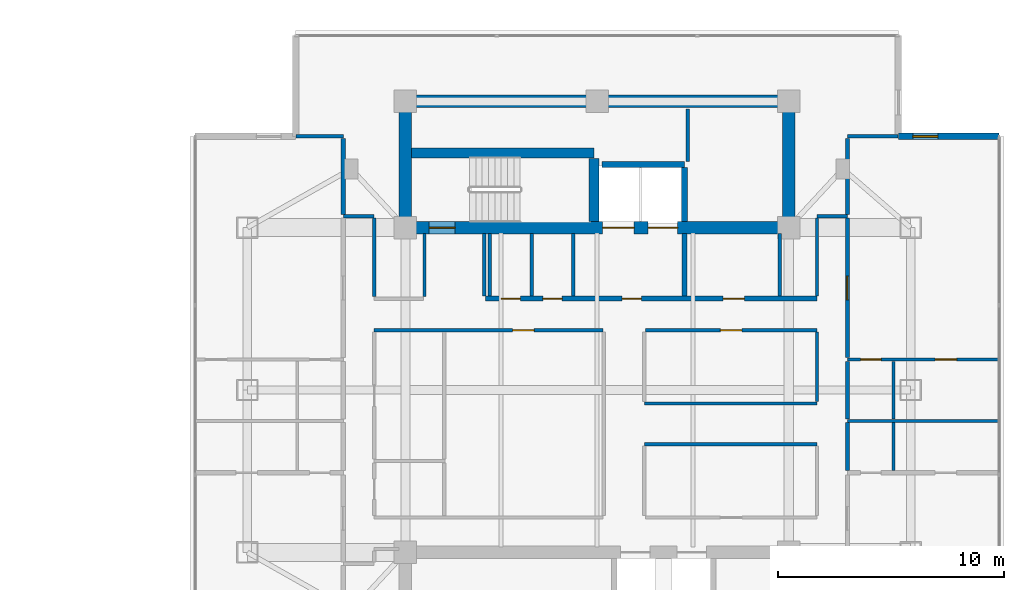
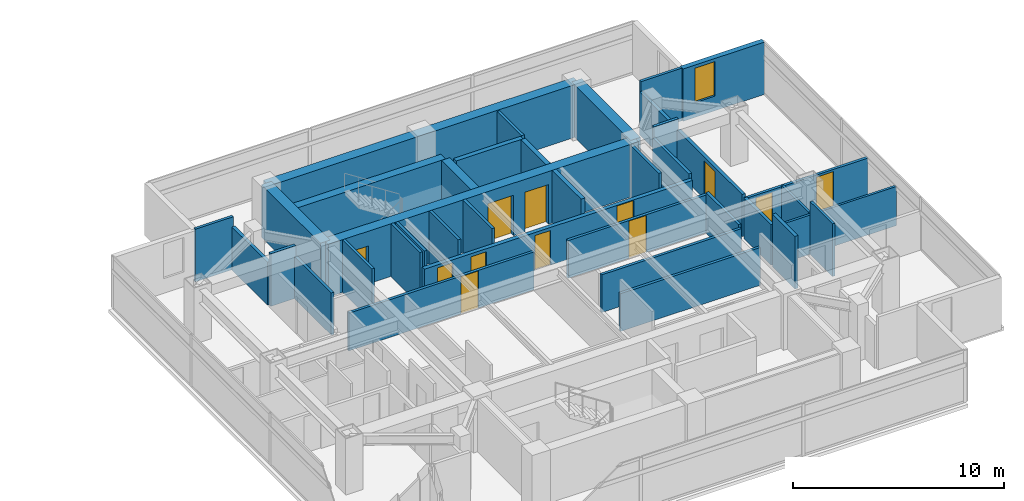
# One storey, part 19 of 26: 38 walls, 12 doors, 1 window, 13 openings.
"""IFC4 building model written with IfcOpenShell, lengths in metres."""

from ifc_helpers import new_model, si_unit, direction, frame, frame_2d, origin, place, context, subcontext, project, spatial, rectangle, extrude, material, layer, layer_set, type_object, element, fill, save


model = new_model("IFC4")

# Units and contexts
model_context = context("Model", 3, precision=1e-05, world=origin(), true_north=direction((0.0, 1.0)))
body_context = subcontext(model_context, "Body", "Model", "MODEL_VIEW")
ifc_project = project(units=[si_unit("LENGTHUNIT", "METRE"), si_unit("AREAUNIT", "SQUARE_METRE"), si_unit("VOLUMEUNIT", "CUBIC_METRE"), si_unit("PLANEANGLEUNIT", "RADIAN"), si_unit("MASSUNIT", "GRAM", prefix="KILO")], contexts=[model_context])

# Site, building, storey
site_placement = place(None, origin())
site = spatial("IfcSite", under=ifc_project, at=site_placement, CompositionType="ELEMENT")
building_placement = place(site_placement, origin())
building = spatial("IfcBuilding", under=site, at=building_placement, Name="Mirazonda Arch Towers", CompositionType="ELEMENT")
storey_placement = place(building_placement, frame((0.0, 0.0, 170.64990234375)))
storey = spatial("IfcBuildingStorey", under=building, at=storey_placement, Name="L48", CompositionType="ELEMENT", Elevation=170.64990234375)

# Walls
ifc_material_1 = material(Name="Concrete C50/60", Category="concrete")
ifc_layer_1 = layer(ifc_material_1, 0.449951171875, Name="WALL-CORE-450")
ifc_layer_set_1 = layer_set([ifc_layer_1], Name="Concrete C50/60")
wall_type_1 = type_object("IfcWallType", Name="WALL-CORE-450", PredefinedType="SHEAR", material=ifc_layer_set_1)
wall_1_placement = place(storey_placement, frame((68.27001953125, 38.5, 0.0), z_axis=(0.0, 0.0, 1.0), x_axis=(1.0, 0.0, 0.0)))
element("IfcWall", 1, at=wall_1_placement, inside=storey, type_object=wall_type_1, Name="L48 Stair Core Shear Wall 056", PredefinedType="SHEAR", context=body_context, shape_type="SweptSolid", body=[
    extrude(rectangle(XDim=8.090087890625, YDim=0.449951171875, at=frame_2d((4.044921875, 0.0))), origin(), (0.0, 0.0, 1.0), 3.050048828125),
])
wall_2_placement = place(storey_placement, frame((76.360107421875, 35.469970703125, 0.0), z_axis=(0.0, 0.0, 1.0), x_axis=(0.0, 1.0, 0.0)))
element("IfcWall", 2, at=wall_2_placement, inside=storey, type_object=wall_type_1, Name="L48 Stair Core Shear Wall 158", PredefinedType="SHEAR", context=body_context, shape_type="SweptSolid", body=[
    extrude(rectangle(XDim=2.794921875, YDim=0.449951171875, at=frame_2d((1.3974609375, 0.0))), origin(), (0.0, 0.0, 1.0), 3.050048828125),
])
ifc_layer_2 = layer(ifc_material_1, 0.550048828125, Name="WALL-CORE-550")
ifc_layer_set_2 = layer_set([ifc_layer_2], Name="Concrete C50/60")
wall_type_2 = type_object("IfcWallType", Name="WALL-CORE-550", PredefinedType="SHEAR", material=ifc_layer_set_2)
wall_3_placement = place(storey_placement, frame((68.0, 40.800048828125, 0.0), z_axis=(0.0, 0.0, 1.0), x_axis=(1.0, 0.0, 0.0)))
element("IfcWall", 3, at=wall_3_placement, inside=storey, type_object=wall_type_2, Name="L48 T2N-N Core Shear Wall", PredefinedType="SHEAR", context=body_context, shape_type="SweptSolid", body=[
    extrude(rectangle(XDim=17.0, YDim=0.550048828125, at=frame_2d((8.5, 0.0))), origin(), (0.0, 0.0, 1.0), 3.050048828125),
])
for number, where, z_axis, x_axis, name in (
    (4, (68.0, 35.199951171875, 0.0), (0.0, 0.0, 1.0), (0.0, 1.0, 0.0), "L48 T2N-W Core Shear Wall"),
    (5, (85.0, 35.199951171875, 0.0), (0.0, 0.0, 1.0), (0.0, 1.0, 0.0), "L48 T2N-E Core Shear Wall"),
):
    element("IfcWall", number, at=place(storey_placement, frame(where, z_axis=z_axis, x_axis=x_axis)), inside=storey, type_object=wall_type_2, Name=name, PredefinedType="SHEAR", context=body_context, shape_type="SweptSolid", body=[
        extrude(rectangle(XDim=5.60009765625, YDim=0.550048828125, at=frame_2d((2.800048828125, 0.0))), origin(), (0.0, 0.0, 1.0), 3.050048828125),
    ])

# Wall, openings, doors
wall_4_placement = place(storey_placement, frame((68.0, 35.199951171875, 0.0), z_axis=(0.0, 0.0, 1.0), x_axis=(1.0, 0.0, 0.0)))
wall_4 = element("IfcWall", 6, at=wall_4_placement, inside=storey, type_object=wall_type_2, Name="L48 T2N-S Core Shear Wall", PredefinedType="SHEAR", context=body_context, shape_type="SweptSolid", body=[
    extrude(rectangle(XDim=17.0, YDim=0.550048828125, at=frame_2d((8.5, 0.0))), origin(), (0.0, 0.0, 1.0), 3.050048828125),
])
opening_1_placement = place(wall_4_placement, frame((1.06005859375, 0.0, 0.0)))
opening_1 = element("IfcOpeningElement", 7, at=opening_1_placement, cuts=wall_4, Name="Opening DR-135", PredefinedType="OPENING", context=body_context, shape_type="SweptSolid", body=[
    extrude(rectangle(XDim=1.14990234375, YDim=2.199951171875, at=frame_2d((0.574951171875, 1.10009765625))), frame((0.0, 0.284912109375, 0.0), z_axis=(0.0, -1.0, 0.0), x_axis=(1.0, 0.0, 0.0)), (0.0, 0.0, 1.0), 0.570068359375),
])
opening_2_placement = place(wall_4_placement, frame((8.75, 0.0, 0.0)))
opening_2 = element("IfcOpeningElement", 8, at=opening_2_placement, cuts=wall_4, Name="Opening LD-112", PredefinedType="OPENING", context=body_context, shape_type="SweptSolid", body=[
    extrude(rectangle(XDim=1.39990234375, YDim=2.35009765625, at=frame_2d((0.699951171875, 1.175048828125))), frame((0.0, 0.284912109375, 0.0), z_axis=(0.0, -1.0, 0.0), x_axis=(1.0, 0.0, 0.0)), (0.0, 0.0, 1.0), 0.570068359375),
])
opening_3_placement = place(wall_4_placement, frame((10.77001953125, 0.0, 0.0)))
opening_3 = element("IfcOpeningElement", 9, at=opening_3_placement, cuts=wall_4, Name="Opening LD-111", PredefinedType="OPENING", context=body_context, shape_type="SweptSolid", body=[
    extrude(rectangle(XDim=1.300048828125, YDim=2.300048828125, at=frame_2d((0.64990234375, 1.14990234375))), frame((0.0, 0.284912109375, 0.0), z_axis=(0.0, -1.0, 0.0), x_axis=(1.0, 0.0, 0.0)), (0.0, 0.0, 1.0), 0.570068359375),
])
ifc_material_2 = material(Name="Architectural Brushed Steel S355", Category="steel")
door_type_1 = type_object("IfcDoorType", Name="DOOR-LIFT-FFL-1400", OperationType="NOTDEFINED", PredefinedType="DOOR", material=ifc_material_2)
door_1_placement = place(opening_2_placement, origin())
door_1 = element("IfcDoor", 10, at=door_1_placement, inside=storey, type_object=door_type_1, Name="L48 Lift Landing Sliding Door FFL-T2", OperationType="DOUBLE_DOOR_SLIDING", OverallHeight=2.35009765625, OverallWidth=1.39990234375, PredefinedType="DOOR", context=body_context, shape_type="SweptSolid", body=[
    extrude(rectangle(XDim=1.39990234375, YDim=2.35009765625, at=frame_2d((0.699951171875, 1.175048828125))), frame((0.0, 0.02490234375, 0.0), z_axis=(0.0, -1.0, 0.0), x_axis=(1.0, 0.0, 0.0)), (0.0, 0.0, 1.0), 0.050048828125),
])
fill(opening_2, door_1)
door_type_2 = type_object("IfcDoorType", Name="DOOR-LIFT-LAND-1300", OperationType="NOTDEFINED", PredefinedType="DOOR", material=ifc_material_2)
door_2_placement = place(opening_3_placement, origin())
door_2 = element("IfcDoor", 11, at=door_2_placement, inside=storey, type_object=door_type_2, Name="L48 Lift Landing Sliding Door SVL-T2", OperationType="DOUBLE_DOOR_SLIDING", OverallHeight=2.300048828125, OverallWidth=1.300048828125, PredefinedType="DOOR", context=body_context, shape_type="SweptSolid", body=[
    extrude(rectangle(XDim=1.300048828125, YDim=2.300048828125, at=frame_2d((0.64990234375, 1.14990234375))), frame((0.0, 0.02490234375, 0.0), z_axis=(0.0, -1.0, 0.0), x_axis=(1.0, 0.0, 0.0)), (0.0, 0.0, 1.0), 0.050048828125),
])
fill(opening_3, door_2)
door_type_3 = type_object("IfcDoorType", Name="DOOR-STAIR-FD90-1150", OperationType="NOTDEFINED", PredefinedType="DOOR", material=ifc_material_2)
door_3_placement = place(opening_1_placement, origin())
door_3 = element("IfcDoor", 12, at=door_3_placement, inside=storey, type_object=door_type_3, Name="L48 East Protected Stair North Door", OperationType="SINGLE_SWING_LEFT", OverallHeight=2.199951171875, OverallWidth=1.14990234375, PredefinedType="DOOR", context=body_context, shape_type="SweptSolid", body=[
    extrude(rectangle(XDim=1.14990234375, YDim=2.199951171875, at=frame_2d((0.574951171875, 1.10009765625))), frame((0.0, 0.02490234375, 0.0), z_axis=(0.0, -1.0, 0.0), x_axis=(1.0, 0.0, 0.0)), (0.0, 0.0, 1.0), 0.050048828125),
])
fill(opening_1, door_3)

# Wall, opening, window
ifc_material_3 = material(Name="Precast Concrete C40/50", Category="concrete")
ifc_layer_3 = layer(ifc_material_3, 0.280029296875, Name="WALL-EXT-WALL-280")
ifc_layer_set_3 = layer_set([ifc_layer_3], Name="Precast Concrete C40/50")
wall_type_3 = type_object("IfcWallType", Name="WALL-EXT-WALL-280", PredefinedType="SOLIDWALL", material=ifc_layer_set_3)
wall_5_placement = place(storey_placement, frame((94.322509765625, 39.242919921875, 0.0), z_axis=(0.0, 0.0, 1.0), x_axis=(-1.0, 0.0, 0.0)))
wall_5 = element("IfcWall", 13, at=wall_5_placement, inside=storey, type_object=wall_type_3, Name="L48 T2 Corner Notch Return Wall WL-L48-T2-CNE2", PredefinedType="SOLIDWALL", context=body_context, shape_type="SweptSolid", body=[
    extrude(rectangle(XDim=4.465087890625, YDim=0.280029296875, at=frame_2d((2.232421875, 0.0))), origin(), (0.0, 0.0, 1.0), 3.030029296875),
])
opening_4_placement = place(wall_5_placement, frame((2.715087890625, 0.0, 0.85009765625)))
opening_4 = element("IfcOpeningElement", 14, at=opening_4_placement, cuts=wall_5, Name="Opening WN-108", PredefinedType="OPENING", context=body_context, shape_type="SweptSolid", body=[
    extrude(rectangle(XDim=1.10009765625, YDim=2.0, at=frame_2d((0.550048828125, 1.0))), frame((0.0, 0.14990234375, 0.0), z_axis=(0.0, -1.0, 0.0), x_axis=(1.0, 0.0, 0.0)), (0.0, 0.0, 1.0), 0.300048828125),
])
ifc_material_4 = material(Name="Insulated Low-E Solar Glass", Category="glass")
window_type = type_object("IfcWindowType", Name="WIN-NOTCH-1100x2000", PartitioningType="SINGLE_PANEL", PredefinedType="WINDOW", material=ifc_material_4)
window_placement = place(opening_4_placement, origin())
window = element("IfcWindow", 15, at=window_placement, inside=storey, type_object=window_type, Name="L48 Punched Facade Window WN-L48-T2-CNE2", OverallHeight=2.0, OverallWidth=1.10009765625, PartitioningType="SINGLE_PANEL", PredefinedType="WINDOW", context=body_context, shape_type="SweptSolid", body=[
    extrude(rectangle(XDim=1.10009765625, YDim=2.0, at=frame_2d((0.550048828125, 1.0))), frame((0.0, 0.030029296875, 0.0), z_axis=(0.0, -1.0, 0.0), x_axis=(1.0, 0.0, 0.0)), (0.0, 0.0, 1.0), 0.06005859375),
])
fill(opening_4, window)

# Wall, openings, doors
ifc_material_5 = material(Name="Concrete C40/50", Category="concrete")
ifc_layer_4 = layer(ifc_material_5, 0.219970703125, Name="WALL-FFL-220")
ifc_layer_set_4 = layer_set([ifc_layer_4], Name="Concrete C40/50")
wall_type_4 = type_object("IfcWallType", Name="WALL-FFL-220", PredefinedType="SOLIDWALL", material=ifc_layer_set_4)
wall_6_placement = place(storey_placement, frame((71.550048828125, 32.050048828125, 0.0), z_axis=(0.0, 0.0, 1.0), x_axis=(1.0, 0.0, 0.0)))
wall_6 = element("IfcWall", 16, at=wall_6_placement, inside=storey, type_object=wall_type_4, Name="L48 Interior Partition 045", PredefinedType="SOLIDWALL", context=body_context, shape_type="SweptSolid", body=[
    extrude(rectangle(XDim=14.699951171875, YDim=0.219970703125, at=frame_2d((7.35009765625, 0.0))), origin(), (0.0, 0.0, 1.0), 2.18603515625),
])
opening_5_placement = place(wall_6_placement, frame((6.06494140625, 0.0, 0.0)))
opening_5 = element("IfcOpeningElement", 17, at=opening_5_placement, cuts=wall_6, Name="Opening DR-128", PredefinedType="OPENING", context=body_context, shape_type="SweptSolid", body=[
    extrude(rectangle(XDim=0.85009765625, YDim=2.010009765625, at=frame_2d((0.425048828125, 1.0048828125))), frame((0.0, 0.119873046875, 0.0), z_axis=(0.0, -1.0, 0.0), x_axis=(1.0, 0.0, 0.0)), (0.0, 0.0, 1.0), 0.239990234375),
])
opening_6_placement = place(wall_6_placement, frame((10.534912109375, 0.0, 0.0)))
opening_6 = element("IfcOpeningElement", 18, at=opening_6_placement, cuts=wall_6, Name="Opening DR-104", PredefinedType="OPENING", context=body_context, shape_type="SweptSolid", body=[
    extrude(rectangle(XDim=0.949951171875, YDim=2.14990234375, at=frame_2d((0.47509765625, 1.074951171875))), frame((0.0, 0.119873046875, 0.0), z_axis=(0.0, -1.0, 0.0), x_axis=(1.0, 0.0, 0.0)), (0.0, 0.0, 1.0), 0.239990234375),
])
opening_7_placement = place(wall_6_placement, frame((0.699951171875, 0.0, 0.0)))
opening_7 = element("IfcOpeningElement", 19, at=opening_7_placement, cuts=wall_6, Name="Opening DR-128", PredefinedType="OPENING", context=body_context, shape_type="SweptSolid", body=[
    extrude(rectangle(XDim=0.85009765625, YDim=2.010009765625, at=frame_2d((0.425048828125, 1.0048828125))), frame((0.0, 0.119873046875, 0.0), z_axis=(0.0, -1.0, 0.0), x_axis=(1.0, 0.0, 0.0)), (0.0, 0.0, 1.0), 0.239990234375),
])
opening_8_placement = place(wall_6_placement, frame((2.550048828125, 0.0, 0.0)))
opening_8 = element("IfcOpeningElement", 20, at=opening_8_placement, cuts=wall_6, Name="Opening DR-128", PredefinedType="OPENING", context=body_context, shape_type="SweptSolid", body=[
    extrude(rectangle(XDim=0.85009765625, YDim=2.010009765625, at=frame_2d((0.425048828125, 1.0048828125))), frame((0.0, 0.119873046875, 0.0), z_axis=(0.0, -1.0, 0.0), x_axis=(1.0, 0.0, 0.0)), (0.0, 0.0, 1.0), 0.239990234375),
])
door_type_4 = type_object("IfcDoorType", Name="DOOR-RISER-FD60-850", OperationType="NOTDEFINED", PredefinedType="DOOR", material=ifc_material_2)
door_4_placement = place(opening_5_placement, origin())
door_4 = element("IfcDoor", 21, at=door_4_placement, inside=storey, type_object=door_type_4, Name="L48 East Firefighting Lift Lobby Door", OperationType="SINGLE_SWING_RIGHT", OverallHeight=2.010009765625, OverallWidth=0.85009765625, PredefinedType="DOOR", context=body_context, shape_type="SweptSolid", body=[
    extrude(rectangle(XDim=0.85009765625, YDim=2.010009765625, at=frame_2d((0.425048828125, 1.0048828125))), frame((0.0, 0.02490234375, 0.0), z_axis=(0.0, -1.0, 0.0), x_axis=(1.0, 0.0, 0.0)), (0.0, 0.0, 1.0), 0.050048828125),
])
fill(opening_5, door_4)
door_5_placement = place(opening_7_placement, origin())
door_5 = element("IfcDoor", 22, at=door_5_placement, inside=storey, type_object=door_type_4, Name="L48 Tower 2 Electrical Room Door", OperationType="SINGLE_SWING_RIGHT", OverallHeight=2.010009765625, OverallWidth=0.85009765625, PredefinedType="DOOR", context=body_context, shape_type="SweptSolid", body=[
    extrude(rectangle(XDim=0.85009765625, YDim=2.010009765625, at=frame_2d((0.425048828125, 1.0048828125))), frame((0.0, 0.02490234375, 0.0), z_axis=(0.0, -1.0, 0.0), x_axis=(1.0, 0.0, 0.0)), (0.0, 0.0, 1.0), 0.050048828125),
])
fill(opening_7, door_5)
door_6_placement = place(opening_8_placement, origin())
door_6 = element("IfcDoor", 23, at=door_6_placement, inside=storey, type_object=door_type_4, Name="L48 Tower 2 Cleaners Store Door", OperationType="SINGLE_SWING_LEFT", OverallHeight=2.010009765625, OverallWidth=0.85009765625, PredefinedType="DOOR", context=body_context, shape_type="SweptSolid", body=[
    extrude(rectangle(XDim=0.85009765625, YDim=2.010009765625, at=frame_2d((0.425048828125, 1.0048828125))), frame((0.0, 0.02490234375, 0.0), z_axis=(0.0, -1.0, 0.0), x_axis=(1.0, 0.0, 0.0)), (0.0, 0.0, 1.0), 0.050048828125),
])
fill(opening_8, door_6)
door_type_5 = type_object("IfcDoorType", Name="DOOR-ROOM-950", OperationType="NOTDEFINED", PredefinedType="DOOR", material=ifc_material_2)
door_7_placement = place(opening_6_placement, origin())
door_7 = element("IfcDoor", 24, at=door_7_placement, inside=storey, type_object=door_type_5, Name="L48 East Sky Reading Library Door", OperationType="SINGLE_SWING_LEFT", OverallHeight=2.14990234375, OverallWidth=0.949951171875, PredefinedType="DOOR", context=body_context, shape_type="SweptSolid", body=[
    extrude(rectangle(XDim=0.949951171875, YDim=2.14990234375, at=frame_2d((0.47509765625, 1.074951171875))), frame((0.0, 0.02490234375, 0.0), z_axis=(0.0, -1.0, 0.0), x_axis=(1.0, 0.0, 0.0)), (0.0, 0.0, 1.0), 0.050048828125),
])
fill(opening_6, door_7)

# Walls
wall_7_placement = place(storey_placement, frame((80.3798828125, 32.169921875, 0.0), z_axis=(0.0, 0.0, 1.0), x_axis=(0.0, 1.0, 0.0)))
element("IfcWall", 25, at=wall_7_placement, inside=storey, type_object=wall_type_4, Name="L48 Interior Partition 163", PredefinedType="SOLIDWALL", context=body_context, shape_type="SweptSolid", body=[
    extrude(rectangle(XDim=2.760009765625, YDim=0.219970703125, at=frame_2d((1.3798828125, 0.0))), origin(), (0.0, 0.0, 1.0), 3.050048828125),
])
ifc_material_6 = material(Name="Fire-Rated Gypsum Stud Partition")
ifc_layer_5 = layer(ifc_material_6, 0.14990234375, Name="WALL-PART-CORR-150")
ifc_layer_set_5 = layer_set([ifc_layer_5], Name="Fire-Rated Gypsum Stud Partition")
wall_type_5 = type_object("IfcWallType", Name="WALL-PART-CORR-150", PredefinedType="PARTITIONING", material=ifc_layer_set_5)
for number, where, z_axis, x_axis, name in (
    (26, (78.60009765625, 25.60009765625, 0.0), (0.0, 0.0, 1.0), (1.0, 0.0, 0.0), "L48 Interior Partition 031"),
    (27, (78.60009765625, 27.39990234375, 0.0), (0.0, 0.0, 1.0), (1.0, 0.0, 0.0), "L48 Interior Partition 035"),
):
    element("IfcWall", number, at=place(storey_placement, frame(where, z_axis=z_axis, x_axis=x_axis)), inside=storey, type_object=wall_type_5, Name=name, PredefinedType="PARTITIONING", context=body_context, shape_type="SweptSolid", body=[
        extrude(rectangle(XDim=7.64990234375, YDim=0.14990234375, at=frame_2d((3.824951171875, 0.0))), origin(), (0.0, 0.0, 1.0), 2.18603515625),
    ])

# Wall, openings, doors
wall_8_placement = place(storey_placement, frame((87.60009765625, 29.35205078125, 0.0), z_axis=(0.0, 0.0, 1.0), x_axis=(1.0, 0.0, 0.0)))
wall_8 = element("IfcWall", 28, at=wall_8_placement, inside=storey, type_object=wall_type_5, Name="L48 Interior Partition 039", PredefinedType="PARTITIONING", context=body_context, shape_type="SweptSolid", body=[
    extrude(rectangle(XDim=6.722900390625, YDim=0.14990234375, at=frame_2d((3.361328125, 0.0))), origin(), (0.0, 0.0, 1.0), 2.26904296875),
])
opening_9_placement = place(wall_8_placement, frame((3.886474609375, 0.0, 0.0)))
opening_9 = element("IfcOpeningElement", 29, at=opening_9_placement, cuts=wall_8, Name="Opening DR-104", PredefinedType="OPENING", context=body_context, shape_type="SweptSolid", body=[
    extrude(rectangle(XDim=0.949951171875, YDim=2.14990234375, at=frame_2d((0.47509765625, 1.074951171875))), frame((0.0, 0.0849609375, 0.0), z_axis=(0.0, -1.0, 0.0), x_axis=(1.0, 0.0, 0.0)), (0.0, 0.0, 1.0), 0.169921875),
])
opening_10_placement = place(wall_8_placement, frame((0.590087890625, 0.0, 0.0)))
opening_10 = element("IfcOpeningElement", 30, at=opening_10_placement, cuts=wall_8, Name="Opening DR-120", PredefinedType="OPENING", context=body_context, shape_type="SweptSolid", body=[
    extrude(rectangle(XDim=0.89990234375, YDim=2.10009765625, at=frame_2d((0.449951171875, 1.050048828125))), frame((0.0, 0.0849609375, 0.0), z_axis=(0.0, -1.0, 0.0), x_axis=(1.0, 0.0, 0.0)), (0.0, 0.0, 1.0), 0.169921875),
])
door_8_placement = place(opening_9_placement, origin())
door_8 = element("IfcDoor", 31, at=door_8_placement, inside=storey, type_object=door_type_5, Name="L48 Studio 2 Galley Kitchen Door", OperationType="SINGLE_SWING_RIGHT", OverallHeight=2.14990234375, OverallWidth=0.949951171875, PredefinedType="DOOR", context=body_context, shape_type="SweptSolid", body=[
    extrude(rectangle(XDim=0.949951171875, YDim=2.14990234375, at=frame_2d((0.47509765625, 1.074951171875))), frame((0.0, 0.02490234375, 0.0), z_axis=(0.0, -1.0, 0.0), x_axis=(1.0, 0.0, 0.0)), (0.0, 0.0, 1.0), 0.050048828125),
])
fill(opening_9, door_8)
door_type_6 = type_object("IfcDoorType", Name="DOOR-WC-900", OperationType="NOTDEFINED", PredefinedType="DOOR", material=ifc_material_2)
door_9_placement = place(opening_10_placement, origin())
door_9 = element("IfcDoor", 32, at=door_9_placement, inside=storey, type_object=door_type_6, Name="L48 Studio 2 Bathroom Door", OperationType="SINGLE_SWING_LEFT", OverallHeight=2.10009765625, OverallWidth=0.89990234375, PredefinedType="DOOR", context=body_context, shape_type="SweptSolid", body=[
    extrude(rectangle(XDim=0.89990234375, YDim=2.10009765625, at=frame_2d((0.449951171875, 1.050048828125))), frame((0.0, 0.02490234375, 0.0), z_axis=(0.0, -1.0, 0.0), x_axis=(1.0, 0.0, 0.0)), (0.0, 0.0, 1.0), 0.050048828125),
])
fill(opening_10, door_9)

# Wall, opening, door
wall_9_placement = place(storey_placement, frame((66.6201171875, 30.64990234375, 0.0), z_axis=(0.0, 0.0, 1.0), x_axis=(1.0, 0.0, 0.0)))
wall_9 = element("IfcWall", 33, at=wall_9_placement, inside=storey, type_object=wall_type_5, Name="L48 Interior Partition 042", PredefinedType="PARTITIONING", context=body_context, shape_type="SweptSolid", body=[
    extrude(rectangle(XDim=10.139892578125, YDim=0.14990234375, at=frame_2d((5.06982421875, 0.0))), origin(), (0.0, 0.0, 1.0), 2.18603515625),
])
opening_11_placement = place(wall_9_placement, frame((6.139892578125, 0.0, 0.0)))
opening_11 = element("IfcOpeningElement", 34, at=opening_11_placement, cuts=wall_9, Name="Opening DR-104", PredefinedType="OPENING", context=body_context, shape_type="SweptSolid", body=[
    extrude(rectangle(XDim=0.949951171875, YDim=2.14990234375, at=frame_2d((0.47509765625, 1.074951171875))), frame((0.0, 0.0849609375, 0.0), z_axis=(0.0, -1.0, 0.0), x_axis=(1.0, 0.0, 0.0)), (0.0, 0.0, 1.0), 0.169921875),
])
door_10_placement = place(opening_11_placement, origin())
door_10 = element("IfcDoor", 35, at=door_10_placement, inside=storey, type_object=door_type_5, Name="L48 L48 East Courtyard Study Door", OperationType="SINGLE_SWING_LEFT", OverallHeight=2.14990234375, OverallWidth=0.949951171875, PredefinedType="DOOR", context=body_context, shape_type="SweptSolid", body=[
    extrude(rectangle(XDim=0.949951171875, YDim=2.14990234375, at=frame_2d((0.47509765625, 1.074951171875))), frame((0.0, 0.02490234375, 0.0), z_axis=(0.0, -1.0, 0.0), x_axis=(1.0, 0.0, 0.0)), (0.0, 0.0, 1.0), 0.050048828125),
])
fill(opening_11, door_10)

wall_10_placement = place(storey_placement, frame((78.639892578125, 30.64990234375, 0.0), z_axis=(0.0, 0.0, 1.0), x_axis=(1.0, 0.0, 0.0)))
wall_10 = element("IfcWall", 36, at=wall_10_placement, inside=storey, type_object=wall_type_5, Name="L48 Interior Partition 043", PredefinedType="PARTITIONING", context=body_context, shape_type="SweptSolid", body=[
    extrude(rectangle(XDim=7.610107421875, YDim=0.14990234375, at=frame_2d((3.80517578125, 0.0))), origin(), (0.0, 0.0, 1.0), 2.18603515625),
])
opening_12_placement = place(wall_10_placement, frame((3.330078125, 0.0, 0.0)))
opening_12 = element("IfcOpeningElement", 37, at=opening_12_placement, cuts=wall_10, Name="Opening DR-104", PredefinedType="OPENING", context=body_context, shape_type="SweptSolid", body=[
    extrude(rectangle(XDim=0.949951171875, YDim=2.14990234375, at=frame_2d((0.47509765625, 1.074951171875))), frame((0.0, 0.0849609375, 0.0), z_axis=(0.0, -1.0, 0.0), x_axis=(1.0, 0.0, 0.0)), (0.0, 0.0, 1.0), 0.169921875),
])
door_11_placement = place(opening_12_placement, origin())
door_11 = element("IfcDoor", 38, at=door_11_placement, inside=storey, type_object=door_type_5, Name="L48 L48 Tower 2 North-East Study Door", OperationType="SINGLE_SWING_LEFT", OverallHeight=2.14990234375, OverallWidth=0.949951171875, PredefinedType="DOOR", context=body_context, shape_type="SweptSolid", body=[
    extrude(rectangle(XDim=0.949951171875, YDim=2.14990234375, at=frame_2d((0.47509765625, 1.074951171875))), frame((0.0, 0.02490234375, 0.0), z_axis=(0.0, -1.0, 0.0), x_axis=(1.0, 0.0, 0.0)), (0.0, 0.0, 1.0), 0.050048828125),
])
fill(opening_12, door_11)

# Walls
wall_11_placement = place(storey_placement, frame((65.25, 35.699951171875, 0.0), z_axis=(0.0, 0.0, 1.0), x_axis=(1.0, 0.0, 0.0)))
element("IfcWall", 39, at=wall_11_placement, inside=storey, type_object=wall_type_5, Name="L48 Interior Partition 051", PredefinedType="PARTITIONING", context=body_context, shape_type="SweptSolid", body=[
    extrude(rectangle(XDim=1.3701171875, YDim=0.14990234375, at=frame_2d((0.68505859375, 0.0))), origin(), (0.0, 0.0, 1.0), 3.050048828125),
])
wall_12_placement = place(storey_placement, frame((86.25, 35.699951171875, 0.0), z_axis=(0.0, 0.0, 1.0), x_axis=(1.0, 0.0, 0.0)))
element("IfcWall", 40, at=wall_12_placement, inside=storey, type_object=wall_type_5, Name="L48 Interior Partition 052", PredefinedType="PARTITIONING", context=body_context, shape_type="SweptSolid", body=[
    extrude(rectangle(XDim=1.35009765625, YDim=0.14990234375, at=frame_2d((0.675048828125, 0.0))), origin(), (0.0, 0.0, 1.0), 3.050048828125),
])
wall_13_placement = place(storey_placement, frame((63.16259765625, 39.242919921875, 0.0), z_axis=(0.0, 0.0, 1.0), x_axis=(1.0, 0.0, 0.0)))
element("IfcWall", 41, at=wall_13_placement, inside=storey, type_object=wall_type_5, Name="L48 Interior Partition 057", PredefinedType="PARTITIONING", context=body_context, shape_type="SweptSolid", body=[
    extrude(rectangle(XDim=2.08740234375, YDim=0.14990234375, at=frame_2d((1.043701171875, 0.0))), origin(), (0.0, 0.0, 1.0), 3.050048828125),
])
wall_14_placement = place(storey_placement, frame((87.60009765625, 39.242919921875, 0.0), z_axis=(0.0, 0.0, 1.0), x_axis=(1.0, 0.0, 0.0)))
element("IfcWall", 42, at=wall_14_placement, inside=storey, type_object=wall_type_5, Name="L48 Interior Partition 058", PredefinedType="PARTITIONING", context=body_context, shape_type="SweptSolid", body=[
    extrude(rectangle(XDim=2.2373046875, YDim=0.14990234375, at=frame_2d((1.11865234375, 0.0))), origin(), (0.0, 0.0, 1.0), 3.050048828125),
])
wall_15_placement = place(storey_placement, frame((66.6201171875, 32.135009765625, 0.0), z_axis=(0.0, 0.0, 1.0), x_axis=(0.0, 1.0, 0.0)))
element("IfcWall", 43, at=wall_15_placement, inside=storey, type_object=wall_type_5, Name="L48 Interior Partition 149", PredefinedType="PARTITIONING", context=body_context, shape_type="SweptSolid", body=[
    extrude(rectangle(XDim=3.47998046875, YDim=0.14990234375, at=frame_2d((1.739990234375, 0.0))), origin(), (0.0, 0.0, 1.0), 2.442138671875),
])
wall_16_placement = place(storey_placement, frame((68.85009765625, 32.135009765625, 0.0), z_axis=(0.0, 0.0, 1.0), x_axis=(0.0, 1.0, 0.0)))
element("IfcWall", 44, at=wall_16_placement, inside=storey, type_object=wall_type_5, Name="L48 Interior Partition 150", PredefinedType="PARTITIONING", context=body_context, shape_type="SweptSolid", body=[
    extrude(rectangle(XDim=2.794921875, YDim=0.14990234375, at=frame_2d((1.3974609375, 0.0))), origin(), (0.0, 0.0, 1.0), 3.050048828125),
])
for number, where, z_axis, x_axis, name in (
    (45, (71.5, 32.169921875, 0.0), (0.0, 0.0, 1.0), (0.0, 1.0, 0.0), "L48 Interior Partition 153"),
    (46, (71.75, 32.169921875, 0.0), (0.0, 0.0, 1.0), (0.0, 1.0, 0.0), "L48 Interior Partition 154"),
    (47, (73.60009765625, 32.169921875, 0.0), (0.0, 0.0, 1.0), (0.0, 1.0, 0.0), "L48 Interior Partition 155"),
    (48, (75.449951171875, 32.169921875, 0.0), (0.0, 0.0, 1.0), (0.0, 1.0, 0.0), "L48 Interior Partition 156"),
):
    element("IfcWall", number, at=place(storey_placement, frame(where, z_axis=z_axis, x_axis=x_axis)), inside=storey, type_object=wall_type_5, Name=name, PredefinedType="PARTITIONING", context=body_context, shape_type="SweptSolid", body=[
        extrude(rectangle(XDim=2.760009765625, YDim=0.14990234375, at=frame_2d((1.3798828125, 0.0))), origin(), (0.0, 0.0, 1.0), 3.050048828125),
    ])
wall_17_placement = place(storey_placement, frame((80.52001953125, 38.135009765625, 0.0), z_axis=(0.0, 0.0, 1.0), x_axis=(0.0, 1.0, 0.0)))
element("IfcWall", 49, at=wall_17_placement, inside=storey, type_object=wall_type_5, Name="L48 Interior Partition 165", PredefinedType="PARTITIONING", context=body_context, shape_type="SweptSolid", body=[
    extrude(rectangle(XDim=2.31494140625, YDim=0.14990234375, at=frame_2d((1.157470703125, 0.0))), origin(), (0.0, 0.0, 1.0), 3.050048828125),
])
wall_18_placement = place(storey_placement, frame((84.60009765625, 32.169921875, 0.0), z_axis=(0.0, 0.0, 1.0), x_axis=(0.0, 1.0, 0.0)))
element("IfcWall", 50, at=wall_18_placement, inside=storey, type_object=wall_type_5, Name="L48 Interior Partition 167", PredefinedType="PARTITIONING", context=body_context, shape_type="SweptSolid", body=[
    extrude(rectangle(XDim=2.760009765625, YDim=0.14990234375, at=frame_2d((1.3798828125, 0.0))), origin(), (0.0, 0.0, 1.0), 3.050048828125),
])
wall_19_placement = place(storey_placement, frame((86.25, 27.485107421875, 0.0), z_axis=(0.0, 0.0, 1.0), x_axis=(0.0, 1.0, 0.0)))
element("IfcWall", 51, at=wall_19_placement, inside=storey, type_object=wall_type_5, Name="L48 Interior Partition 170", PredefinedType="PARTITIONING", context=body_context, shape_type="SweptSolid", body=[
    extrude(rectangle(XDim=3.079833984375, YDim=0.14990234375, at=frame_2d((1.5400390625, 0.0))), origin(), (0.0, 0.0, 1.0), 2.34619140625),
])
wall_20_placement = place(storey_placement, frame((86.25, 32.169921875, 0.0), z_axis=(0.0, 0.0, 1.0), x_axis=(0.0, 1.0, 0.0)))
element("IfcWall", 52, at=wall_20_placement, inside=storey, type_object=wall_type_5, Name="L48 Interior Partition 171", PredefinedType="PARTITIONING", context=body_context, shape_type="SweptSolid", body=[
    extrude(rectangle(XDim=3.445068359375, YDim=0.14990234375, at=frame_2d((1.72265625, 0.0))), origin(), (0.0, 0.0, 1.0), 2.442138671875),
])
ifc_material_7 = material(Name="Fire-Rated Gypsum Twin-Stud Assembly")
ifc_layer_6 = layer(ifc_material_7, 0.179931640625, Name="WALL-PART-DEMISE-180")
ifc_layer_set_6 = layer_set([ifc_layer_6], Name="Fire-Rated Gypsum Twin-Stud Assembly")
wall_type_6 = type_object("IfcWallType", Name="WALL-PART-DEMISE-180", PredefinedType="PARTITIONING", material=ifc_layer_set_6)
wall_21_placement = place(storey_placement, frame((65.25, 35.784912109375, 0.0), z_axis=(0.0, 0.0, 1.0), x_axis=(0.0, 1.0, 0.0)))
element("IfcWall", 53, at=wall_21_placement, inside=storey, type_object=wall_type_6, Name="L48 Interior Partition 145", PredefinedType="PARTITIONING", context=body_context, shape_type="SweptSolid", body=[
    extrude(rectangle(XDim=3.373046875, YDim=0.179931640625, at=frame_2d((1.6865234375, 0.0))), origin(), (0.0, 0.0, 1.0), 2.4931640625),
])
wall_22_placement = place(storey_placement, frame((87.60009765625, 24.431884765625, 0.0), z_axis=(0.0, 0.0, 1.0), x_axis=(0.0, 1.0, 0.0)))
element("IfcWall", 54, at=wall_22_placement, inside=storey, type_object=wall_type_6, Name="L48 Interior Partition 174", PredefinedType="PARTITIONING", context=body_context, shape_type="SweptSolid", body=[
    extrude(rectangle(XDim=2.127685546875, YDim=0.179931640625, at=frame_2d((1.06396484375, 0.0))), origin(), (0.0, 0.0, 1.0), 3.050048828125),
])
wall_23_placement = place(storey_placement, frame((87.60009765625, 26.70458984375, 0.0), z_axis=(0.0, 0.0, 1.0), x_axis=(0.0, 1.0, 0.0)))
element("IfcWall", 55, at=wall_23_placement, inside=storey, type_object=wall_type_6, Name="L48 Interior Partition 175", PredefinedType="PARTITIONING", context=body_context, shape_type="SweptSolid", body=[
    extrude(rectangle(XDim=2.5625, YDim=0.179931640625, at=frame_2d((1.28125, 0.0))), origin(), (0.0, 0.0, 1.0), 2.34619140625),
])

# Wall, opening, door
wall_24_placement = place(storey_placement, frame((87.60009765625, 29.43701171875, 0.0), z_axis=(0.0, 0.0, 1.0), x_axis=(0.0, 1.0, 0.0)))
wall_24 = element("IfcWall", 56, at=wall_24_placement, inside=storey, type_object=wall_type_6, Name="L48 Interior Partition 176", PredefinedType="PARTITIONING", context=body_context, shape_type="SweptSolid", body=[
    extrude(rectangle(XDim=6.177978515625, YDim=0.179931640625, at=frame_2d((3.0888671875, 0.0))), origin(), (0.0, 0.0, 1.0), 2.442138671875),
])
opening_13_placement = place(wall_24_placement, frame((2.56396484375, 0.0, 0.0)))
opening_13 = element("IfcOpeningElement", 57, at=opening_13_placement, cuts=wall_24, Name="Opening DR-121", PredefinedType="OPENING", context=body_context, shape_type="SweptSolid", body=[
    extrude(rectangle(XDim=1.050048828125, YDim=2.199951171875, at=frame_2d((0.52490234375, 1.10009765625))), frame((0.0, 0.099853515625, 0.0), z_axis=(0.0, -1.0, 0.0), x_axis=(1.0, 0.0, 0.0)), (0.0, 0.0, 1.0), 0.199951171875),
])
door_type_7 = type_object("IfcDoorType", Name="DOOR-SUITE-FD60-1050", OperationType="NOTDEFINED", PredefinedType="DOOR", material=ifc_material_2)
door_12_placement = place(opening_13_placement, origin())
door_12 = element("IfcDoor", 58, at=door_12_placement, inside=storey, type_object=door_type_7, Name="L48 Studio Apartment 2 Living Salon Door", OperationType="SINGLE_SWING_LEFT", OverallHeight=2.199951171875, OverallWidth=1.050048828125, PredefinedType="DOOR", context=body_context, shape_type="SweptSolid", body=[
    extrude(rectangle(XDim=1.050048828125, YDim=2.199951171875, at=frame_2d((0.52490234375, 1.10009765625))), frame((0.0, 0.02490234375, 0.0), z_axis=(0.0, -1.0, 0.0), x_axis=(1.0, 0.0, 0.0)), (0.0, 0.0, 1.0), 0.050048828125),
])
fill(opening_13, door_12)

# Walls
wall_25_placement = place(storey_placement, frame((87.60009765625, 35.784912109375, 0.0), z_axis=(0.0, 0.0, 1.0), x_axis=(0.0, 1.0, 0.0)))
element("IfcWall", 59, at=wall_25_placement, inside=storey, type_object=wall_type_6, Name="L48 Interior Partition 177", PredefinedType="PARTITIONING", context=body_context, shape_type="SweptSolid", body=[
    extrude(rectangle(XDim=3.373046875, YDim=0.179931640625, at=frame_2d((1.6865234375, 0.0))), origin(), (0.0, 0.0, 1.0), 2.4931640625),
])
ifc_material_8 = material(Name="Acoustic Fire-Rated Gypsum Partition")
ifc_layer_7 = layer(ifc_material_8, 0.125, Name="WALL-PART-UNIT-125")
ifc_layer_set_7 = layer_set([ifc_layer_7], Name="Acoustic Fire-Rated Gypsum Partition")
wall_type_7 = type_object("IfcWallType", Name="WALL-PART-UNIT-125", PredefinedType="PARTITIONING", material=ifc_layer_set_7)
wall_26_placement = place(storey_placement, frame((87.60009765625, 26.632080078125, 0.0), z_axis=(0.0, 0.0, 1.0), x_axis=(1.0, 0.0, 0.0)))
element("IfcWall", 60, at=wall_26_placement, inside=storey, type_object=wall_type_7, Name="L48 Interior Partition 034", PredefinedType="PARTITIONING", context=body_context, shape_type="SweptSolid", body=[
    extrude(rectangle(XDim=6.722900390625, YDim=0.125, at=frame_2d((3.361328125, 0.0))), origin(), (0.0, 0.0, 1.0), 2.26904296875),
])
wall_27_placement = place(storey_placement, frame((89.639892578125, 24.431884765625, 0.0), z_axis=(0.0, 0.0, 1.0), x_axis=(0.0, 1.0, 0.0)))
element("IfcWall", 61, at=wall_27_placement, inside=storey, type_object=wall_type_7, Name="L48 Interior Partition 178", PredefinedType="PARTITIONING", context=body_context, shape_type="SweptSolid", body=[
    extrude(rectangle(XDim=2.127685546875, YDim=0.125, at=frame_2d((1.06396484375, 0.0))), origin(), (0.0, 0.0, 1.0), 3.050048828125),
])
wall_28_placement = place(storey_placement, frame((89.639892578125, 26.70458984375, 0.0), z_axis=(0.0, 0.0, 1.0), x_axis=(0.0, 1.0, 0.0)))
element("IfcWall", 62, at=wall_28_placement, inside=storey, type_object=wall_type_7, Name="L48 Interior Partition 179", PredefinedType="PARTITIONING", context=body_context, shape_type="SweptSolid", body=[
    extrude(rectangle(XDim=2.5625, YDim=0.125, at=frame_2d((1.28125, 0.0))), origin(), (0.0, 0.0, 1.0), 2.34619140625),
])
ifc_layer_8 = layer(ifc_material_5, 0.25, Name="WALL-SHAFT-250")
ifc_layer_set_8 = layer_set([ifc_layer_8], Name="Concrete C40/50")
wall_type_8 = type_object("IfcWallType", Name="WALL-SHAFT-250", PredefinedType="SOLIDWALL", material=ifc_layer_set_8)
wall_29_placement = place(storey_placement, frame((76.719970703125, 38.0, 0.0), z_axis=(0.0, 0.0, 1.0), x_axis=(1.0, 0.0, 0.0)))
element("IfcWall", 63, at=wall_29_placement, inside=storey, type_object=wall_type_8, Name="L48 Interior Partition 055", PredefinedType="SOLIDWALL", context=body_context, shape_type="SweptSolid", body=[
    extrude(rectangle(XDim=3.659912109375, YDim=0.25, at=frame_2d((1.830078125, 0.0))), origin(), (0.0, 0.0, 1.0), 3.050048828125),
])
wall_30_placement = place(storey_placement, frame((80.3798828125, 35.469970703125, 0.0), z_axis=(0.0, 0.0, 1.0), x_axis=(0.0, 1.0, 0.0)))
element("IfcWall", 64, at=wall_30_placement, inside=storey, type_object=wall_type_8, Name="L48 Interior Partition 164", PredefinedType="SOLIDWALL", context=body_context, shape_type="SweptSolid", body=[
    extrude(rectangle(XDim=2.39501953125, YDim=0.25, at=frame_2d((1.197509765625, 0.0))), origin(), (0.0, 0.0, 1.0), 3.050048828125),
])

save(model, "model.ifc")
